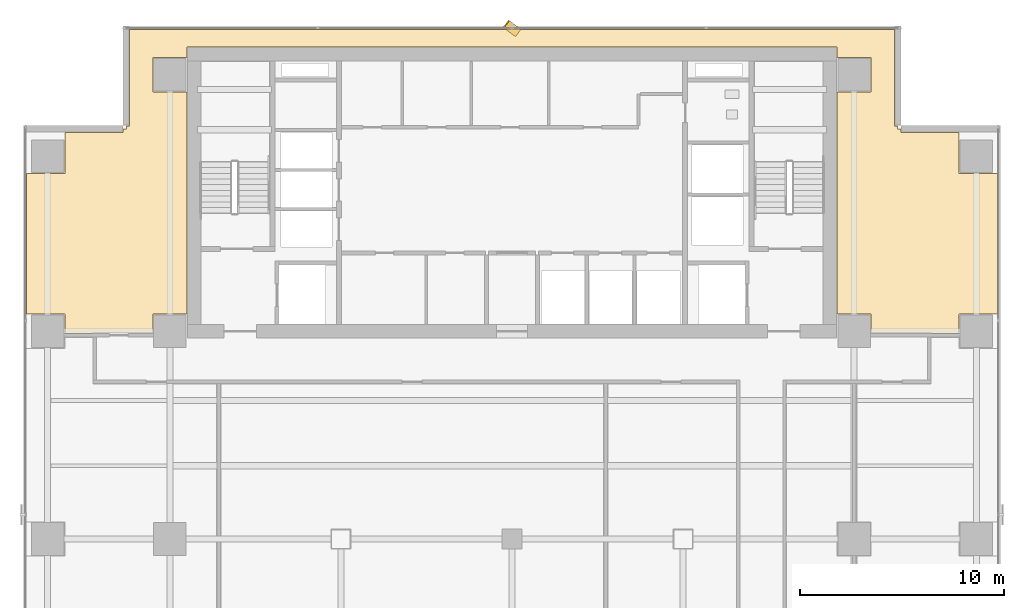
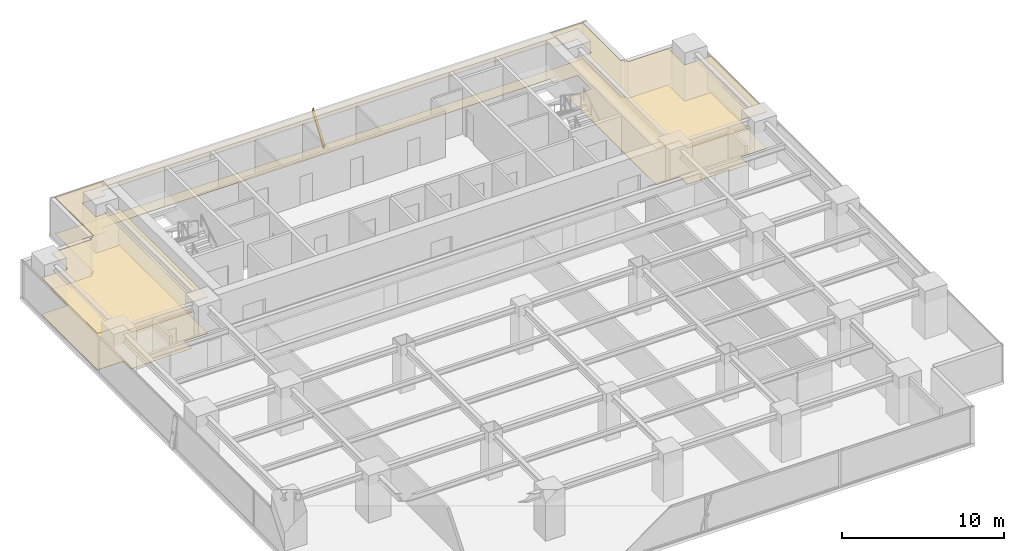
# One storey, part 25 of 27: 2 coverings, 1 shading device.
"""IFC4 building model written with IfcOpenShell, lengths in metres."""

from ifc_helpers import new_model, si_unit, direction, frame, origin, origin_2d, place, context, subcontext, project, spatial, polyline, rectangle, outline, extrude, source, transform, mapped, material, layer, layer_set, material_profile, profile_set, type_object, element, save


model = new_model("IFC4")

# Units and contexts
model_context = context("Model", 3, precision=1e-05, world=origin(), true_north=direction((0.0, 1.0)))
body_context = subcontext(model_context, "Body", "Model", "MODEL_VIEW")
ifc_project = project(units=[si_unit("LENGTHUNIT", "METRE"), si_unit("AREAUNIT", "SQUARE_METRE"), si_unit("VOLUMEUNIT", "CUBIC_METRE"), si_unit("PLANEANGLEUNIT", "RADIAN"), si_unit("MASSUNIT", "GRAM", prefix="KILO")], contexts=[model_context])

# Site, building, storey
site_placement = place(None, origin())
site = spatial("IfcSite", under=ifc_project, at=site_placement, CompositionType="ELEMENT")
building_placement = place(site_placement, origin())
building = spatial("IfcBuilding", under=site, at=building_placement, Name="Sumidabori Civic Tower", CompositionType="ELEMENT")
storey_placement = place(building_placement, frame((0.0, 0.0, 164.0)))
storey = spatial("IfcBuildingStorey", under=building, at=storey_placement, Name="L42", CompositionType="ELEMENT", Elevation=164.0)

# Coverings
ifc_material_1 = material(Name="Perforated Timber Acoustic Ceiling", Category="wood")
ifc_layer_1 = layer(ifc_material_1, 0.044921875, Name="Perforated Timber Acoustic Ceiling")
ifc_layer_set_1 = layer_set([ifc_layer_1], Name="Perforated Timber Acoustic Ceiling")
covering_type_1 = type_object("IfcCoveringType", Name="CV-CEIL-AC2", PredefinedType="CEILING", material=ifc_layer_set_1)
covering_1_placement = place(storey_placement, frame((0.0, 0.0, 2.72998046875)))
element("IfcCovering", 1, at=covering_1_placement, inside=storey, type_object=covering_type_1, Name="Room Acoustic Ceiling L42-01", PredefinedType="CEILING", context=body_context, shape_type="SweptSolid", body=[
    extrude(outline(polyline([(-23.830078125, 17.9599609375), (-21.9599609375, 17.9599609375), (-21.9599609375, 19.971923828125), (-19.092041015625, 19.971923828125), (-19.092041015625, 20.1298828125), (-18.929931640625, 20.1298828125), (-18.929931640625, 20.2919921875), (-18.77197265625, 20.2919921875), (-18.77197265625, 25.030029296875), (18.77197265625, 25.030029296875), (18.77197265625, 20.2919921875), (18.929931640625, 20.2919921875), (18.929931640625, 20.1298828125), (19.092041015625, 20.1298828125), (19.092041015625, 19.971923828125), (21.9599609375, 19.971923828125), (21.9599609375, 17.9599609375), (23.830078125, 17.9599609375), (23.830078125, 11.0400390625), (21.9599609375, 11.0400390625), (21.9599609375, 10.1025390625), (20.5849609375, 10.1025390625), (20.5849609375, 10.135009765625), (17.639892578125, 10.135009765625), (17.639892578125, 11.0400390625), (15.952880859375, 11.0400390625), (15.952880859375, 21.9599609375), (17.639892578125, 21.9599609375), (17.639892578125, 23.639892578125), (15.952880859375, 23.639892578125), (15.952880859375, 24.153076171875), (-15.952880859375, 24.153076171875), (-15.952880859375, 23.639892578125), (-17.639892578125, 23.639892578125), (-17.639892578125, 21.9599609375), (-15.952880859375, 21.9599609375), (-15.952880859375, 11.0400390625), (-17.639892578125, 11.0400390625), (-17.639892578125, 10.135009765625), (-20.5849609375, 10.135009765625), (-20.5849609375, 10.1025390625), (-21.9599609375, 10.1025390625), (-21.9599609375, 11.0400390625), (-23.830078125, 11.0400390625), (-23.830078125, 17.9599609375)])), origin(), (0.0, 0.0, 1.0), 0.044921875),
])
ifc_material_2 = material(Name="Honed Terrazzo Tile Flooring")
ifc_layer_2 = layer(ifc_material_2, 0.030029296875, Name="Honed Terrazzo Tile Flooring")
ifc_layer_set_2 = layer_set([ifc_layer_2], Name="Honed Terrazzo Tile Flooring")
covering_type_2 = type_object("IfcCoveringType", Name="CV-FLR-TER", PredefinedType="FLOORING", material=ifc_layer_set_2)
covering_2_placement = place(storey_placement, origin())
element("IfcCovering", 2, at=covering_2_placement, inside=storey, type_object=covering_type_2, Name="Room Terrazzo Floor L42-01", PredefinedType="FLOORING", context=body_context, shape_type="SweptSolid", body=[
    extrude(outline(polyline([(-23.830078125, 17.9599609375), (-21.9599609375, 17.9599609375), (-21.9599609375, 19.971923828125), (-19.092041015625, 19.971923828125), (-19.092041015625, 20.1298828125), (-18.929931640625, 20.1298828125), (-18.929931640625, 20.2919921875), (-18.77197265625, 20.2919921875), (-18.77197265625, 25.030029296875), (18.77197265625, 25.030029296875), (18.77197265625, 20.2919921875), (18.929931640625, 20.2919921875), (18.929931640625, 20.1298828125), (19.092041015625, 20.1298828125), (19.092041015625, 19.971923828125), (21.9599609375, 19.971923828125), (21.9599609375, 17.9599609375), (23.830078125, 17.9599609375), (23.830078125, 11.0400390625), (21.9599609375, 11.0400390625), (21.9599609375, 10.1025390625), (20.5849609375, 10.1025390625), (20.5849609375, 10.135009765625), (17.639892578125, 10.135009765625), (17.639892578125, 11.0400390625), (15.952880859375, 11.0400390625), (15.952880859375, 21.9599609375), (17.639892578125, 21.9599609375), (17.639892578125, 23.639892578125), (15.952880859375, 23.639892578125), (15.952880859375, 24.153076171875), (-15.952880859375, 24.153076171875), (-15.952880859375, 23.639892578125), (-17.639892578125, 23.639892578125), (-17.639892578125, 21.9599609375), (-15.952880859375, 21.9599609375), (-15.952880859375, 11.0400390625), (-17.639892578125, 11.0400390625), (-17.639892578125, 10.135009765625), (-20.5849609375, 10.135009765625), (-20.5849609375, 10.1025390625), (-21.9599609375, 10.1025390625), (-21.9599609375, 11.0400390625), (-23.830078125, 11.0400390625), (-23.830078125, 17.9599609375)])), origin(), (0.0, 0.0, 1.0), 0.030029296875),
])

# Shading device
ifc_material_3 = material(Name="Anodised Bronze Aluminium AW-6063-T6", Category="aluminium")
ifc_material_profile = material_profile(ifc_material_3, rectangle(XDim=0.06005859375, YDim=0.449951171875, at=origin_2d()), Name="BRONZE FIN 450x60")
ifc_profile_set = profile_set([ifc_material_profile], Name="Anodised Bronze Aluminium AW-6063-T6")
shading_device_type = type_object("IfcShadingDeviceType", Name="SH-FIN-450", PredefinedType="USERDEFINED", material=ifc_profile_set)
shared_shape = source(origin(), body_context, "Body", "SweptSolid", [
    extrude(rectangle(XDim=0.06005859375, YDim=0.449951171875, at=origin_2d()), origin(), (0.0, 0.0, 1.0), 2.789306640625),
])
shading_device_placement = place(storey_placement, frame((0.280029296875, 24.8701171875, 0.02001953125), z_axis=(-0.200794136335, 0.150551837182, 0.967995794998), x_axis=(0.774477654896, -0.580689436103, 0.250966413819)))
element("IfcShadingDevice", 3, at=shading_device_placement, inside=storey, type_object=shading_device_type, Name="Bronze Anodised Diagonal Fin L42-02", ObjectType="FIN", PredefinedType="USERDEFINED", context=body_context, shape_type="MappedRepresentation", body=[
    mapped(shared_shape, transform((0.0, 0.0, 0.0), x_axis=(1.0, 0.0, 0.0), y_axis=(0.0, 1.0, 0.0), z_axis=(0.0, 0.0, 1.0), scale=1.0)),
])

save(model, "model.ifc")
